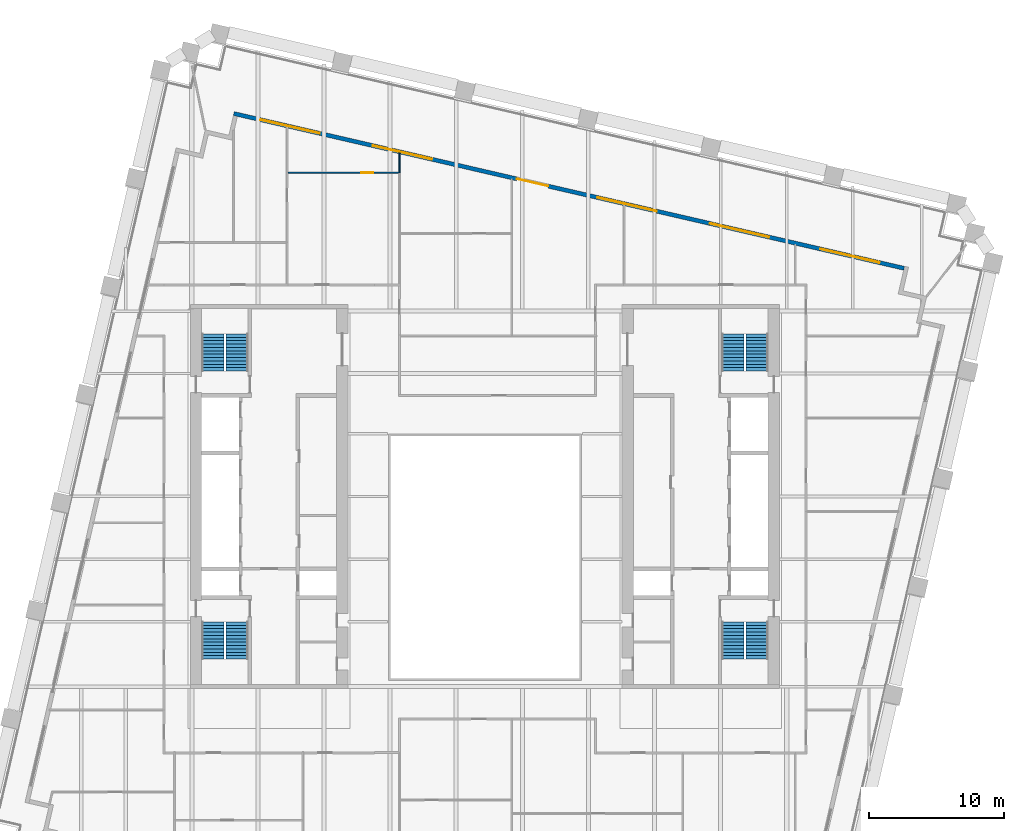
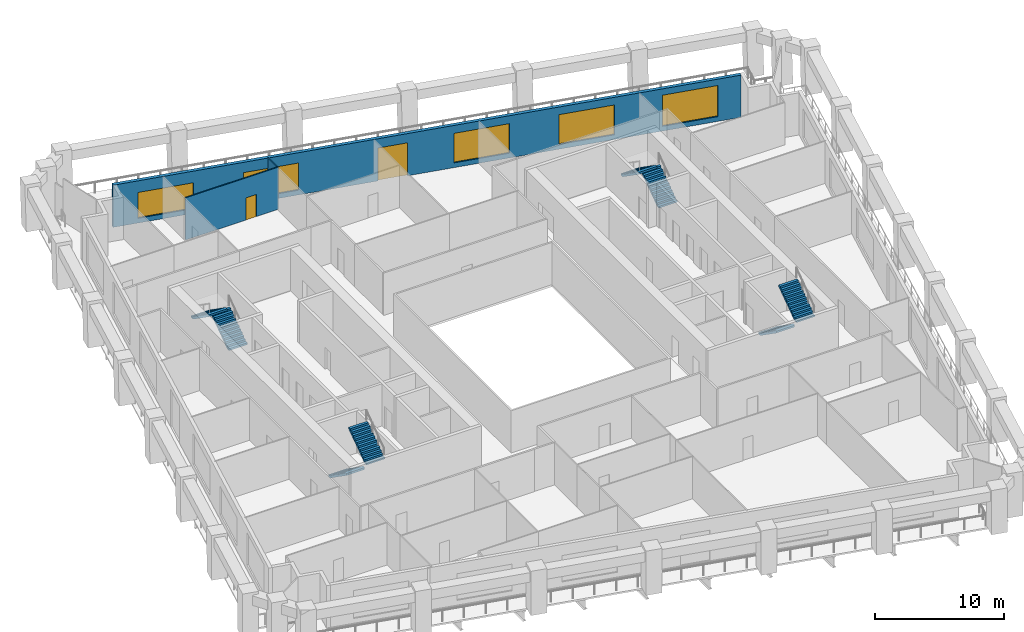
# One storey, part 10 of 12: 8 stair flights, 5 windows, 3 walls, 2 doors, 7 openings, 4 elements without a shape of their own.
"""IFC4 building model written with IfcOpenShell, lengths in metres."""

import ifcopenshell
import ifcopenshell.guid

model = None  # the IFC model being written
_history = None  # IfcOwnerHistory: only IFC2X3 demands one
_inside = {}  # id of a spatial element -> (the spatial element, [elements in it])
_under = {}  # id of a project, library or spatial element -> (it, [spatial elements below it])
_declared = {}  # id of a project -> (the project, [libraries it declares])
_typed = {}  # id of a type object -> (the type object, [elements of that type])
_made_of = {}  # id of a material, layer set ... -> (it, [elements and type objects made of it])


def new_model(schema):
    """Start an empty IFC model of exactly this schema.

    Asked for "IFC4X3", IfcOpenShell would pick the latest addendum, in which some entities
    have other attributes; the version numbers below select the first issue.
    IFC2X3 requires an IfcOwnerHistory on every rooted entity: one is made here for all.
    """
    global model, _history
    if schema == "IFC4X3":
        model = ifcopenshell.file(schema_version=(4, 3, 0, 0))
    else:
        model = ifcopenshell.file(schema=schema)
    _inside.clear()
    _under.clear()
    _declared.clear()
    _typed.clear()
    _made_of.clear()
    _history = None
    if model.schema == "IFC2X3":
        org = make("IfcOrganization", Name="unknown")
        user = make(
            "IfcPersonAndOrganization",
            ThePerson=make("IfcPerson", FamilyName="unknown"),
            TheOrganization=org,
        )
        app = make(
            "IfcApplication",
            ApplicationDeveloper=org,
            Version="unknown",
            ApplicationFullName="unknown",
            ApplicationIdentifier="unknown",
        )
        _history = make(
            "IfcOwnerHistory",
            OwningUser=user,
            OwningApplication=app,
            ChangeAction="ADDED",
            CreationDate=0,
        )
    return model


def make(cls, **values):
    """One entity of the class cls with the attributes given. An attribute that is None is left unset."""
    return model.create_entity(
        cls, **{name: value for name, value in values.items() if value is not None}
    )


def rooted(cls, **values):
    """An entity with a GlobalId (a new one), such as an element, a storey or a relation."""
    return make(cls, GlobalId=ifcopenshell.guid.new(), OwnerHistory=_history, **values)


def si_unit(unit_type, name, prefix=None):
    """IfcSIUnit, for example si_unit("LENGTHUNIT", "METRE", prefix="MILLI")."""
    return make("IfcSIUnit", UnitType=unit_type, Prefix=prefix, Name=name)


def assignment(units):
    """IfcUnitAssignment: the units of a project."""
    return None if units is None else make("IfcUnitAssignment", Units=units)


def point(xyz):
    """IfcCartesianPoint."""
    return None if xyz is None else make("IfcCartesianPoint", Coordinates=xyz)


def direction(xyz):
    """IfcDirection."""
    return None if xyz is None else make("IfcDirection", DirectionRatios=xyz)


def frame(location, z_axis=None, x_axis=None):
    """IfcAxis2Placement3D, a coordinate frame: its origin and axes. An axis left out is left unset."""
    return make(
        "IfcAxis2Placement3D",
        Location=point(location),
        Axis=direction(z_axis),
        RefDirection=direction(x_axis),
    )


def frame_2d(location, x_axis=None):
    """IfcAxis2Placement2D, a coordinate frame in the plane: its origin and x axis."""
    return make(
        "IfcAxis2Placement2D", Location=point(location), RefDirection=direction(x_axis)
    )


def origin():
    """The frame at (0, 0, 0) with its axes left unset."""
    return frame((0.0, 0.0, 0.0))


def place(relative_to, where):
    """IfcLocalPlacement: puts the frame where relative to a parent placement (None: the world)."""
    return make(
        "IfcLocalPlacement", PlacementRelTo=relative_to, RelativePlacement=where
    )


def context(
    kind, dimensions, precision=None, world=None, true_north=None, identifier=None
):
    """IfcGeometricRepresentationContext, for example the 3D "Model" context."""
    return make(
        "IfcGeometricRepresentationContext",
        ContextIdentifier=identifier,
        ContextType=kind,
        CoordinateSpaceDimension=dimensions,
        Precision=precision,
        WorldCoordinateSystem=world,
        TrueNorth=true_north,
    )


def subcontext(parent, identifier, kind, view, scale=None):
    """IfcGeometricRepresentationSubContext, for example "Body" below "Model"."""
    return make(
        "IfcGeometricRepresentationSubContext",
        ContextIdentifier=identifier,
        ContextType=kind,
        ParentContext=parent,
        TargetScale=scale,
        TargetView=view,
    )


def project(units=None, contexts=None):
    """IfcProject with its units and contexts."""
    return rooted(
        "IfcProject",
        Name="project",
        RepresentationContexts=contexts,
        UnitsInContext=assignment(units),
    )


def spatial(cls, under=None, at=None, **own):
    """A site, building, storey or space (cls), placed at a placement, below another one or the project."""
    s = rooted(cls, ObjectPlacement=at, **own)
    if under is not None:
        _under.setdefault(under.id(), (under, []))[1].append(s)
    return s


def polyline(points):
    """IfcPolyline through the points."""
    return make("IfcPolyline", Points=[point(p) for p in points])


def profile(cls, at=None, kind="AREA", **sizes):
    """A parametric profile (cls). Its sizes go by their IFC names, for example OverallWidth=200.0."""
    return make(cls, ProfileType=kind, Position=at, **sizes)


def rectangle(**sizes):
    """IfcRectangleProfileDef."""
    return profile("IfcRectangleProfileDef", **sizes)


def outline(outer, holes=None, kind="AREA"):
    """IfcArbitraryClosedProfileDef: a profile drawn as a closed curve; with holes, ...WithVoids."""
    if holes is None:
        return make("IfcArbitraryClosedProfileDef", ProfileType=kind, OuterCurve=outer)
    return make(
        "IfcArbitraryProfileDefWithVoids",
        ProfileType=kind,
        OuterCurve=outer,
        InnerCurves=holes,
    )


def extrude(swept, where, along, depth):
    """IfcExtrudedAreaSolid: the profile swept, set in the frame where, extruded along a direction by depth."""
    return make(
        "IfcExtrudedAreaSolid",
        SweptArea=swept,
        Position=where,
        ExtrudedDirection=direction(along),
        Depth=depth,
    )


def shape(context_of_items, identifier, shape_type, items):
    """IfcShapeRepresentation: the items that make up one representation, for example the "Body"."""
    return make(
        "IfcShapeRepresentation",
        ContextOfItems=context_of_items,
        RepresentationIdentifier=identifier,
        RepresentationType=shape_type,
        Items=items,
    )


def material(Name=None, Category=None):
    """IfcMaterial."""
    return make("IfcMaterial", Name=Name, Category=Category)


def layer(
    of_material, thickness, ventilated=None, Name=None, Category=None, Priority=None
):
    """IfcMaterialLayer: one layer of a wall or slab, of a material (None: an air gap)."""
    return make(
        "IfcMaterialLayer",
        Material=of_material,
        LayerThickness=thickness,
        IsVentilated=ventilated,
        Name=Name,
        Category=Category,
        Priority=Priority,
    )


def layer_set(layers, Name=None):
    """IfcMaterialLayerSet."""
    return make("IfcMaterialLayerSet", MaterialLayers=layers, LayerSetName=Name)


def made_of(thing, what):
    """Note that an element or type object is made of a material, layer set ...; save() writes the relation."""
    if what is not None:
        _made_of.setdefault(what.id(), (what, []))[1].append(thing)
    return thing


def type_object(cls, material=None, **own):
    """A type object (cls), such as IfcWallType, which elements share."""
    return made_of(rooted(cls, **own), material)


def element(
    cls,
    number,
    at=None,
    inside=None,
    cuts=None,
    type_object=None,
    material=None,
    context=None,
    identifier="Body",
    shape_type=None,
    held_by="IfcProductDefinitionShape",
    body=None,
    shapes=None,
    **own,
):
    """One element of the class cls, such as IfcWall. Its Tag is "e" and its number.

    at: its placement. inside: the storey or other place that contains it. cuts: it is an
    opening in that element (IfcRelVoidsElement). A single representation is given by context,
    identifier, shape_type and body (its items); several are given by shapes. held_by: the class
    of the entity that holds the representations. save() writes the other relations.
    """
    e = rooted(cls, Tag="e%d" % number, ObjectPlacement=at, **own)
    if body is not None:
        shapes = [shape(context, identifier, shape_type, body)]
    if shapes is not None:
        e.Representation = make(held_by, Representations=shapes)
    if inside is not None:
        _inside.setdefault(inside.id(), (inside, []))[1].append(e)
    if cuts is not None:
        rooted(
            "IfcRelVoidsElement", RelatingBuildingElement=cuts, RelatedOpeningElement=e
        )
    if type_object is not None:
        _typed.setdefault(type_object.id(), (type_object, []))[1].append(e)
    return made_of(e, material)


def fill(opening, filler):
    """IfcRelFillsElement: the door or window that sits in an opening."""
    return rooted(
        "IfcRelFillsElement",
        RelatingOpeningElement=opening,
        RelatedBuildingElement=filler,
    )


def aggregate(whole, parts):
    """IfcRelAggregates: a whole, such as a stair, and the parts it consists of."""
    return rooted("IfcRelAggregates", RelatingObject=whole, RelatedObjects=parts)


def save(model, path):
    """Write the relations noted so far, then the file.

    IfcRelAggregates (storeys below a building ...), IfcRelContainedInSpatialStructure (elements
    in a storey), IfcRelDefinesByType, IfcRelAssociatesMaterial and IfcRelDeclares: one each for
    every whole, place, type object, material and project.
    """
    for whole, parts in _under.values():
        aggregate(whole, parts)
    for where, things in _inside.values():
        rooted(
            "IfcRelContainedInSpatialStructure",
            RelatedElements=things,
            RelatingStructure=where,
        )
    for kind, things in _typed.values():
        rooted("IfcRelDefinesByType", RelatedObjects=things, RelatingType=kind)
    for what, things in _made_of.values():
        rooted("IfcRelAssociatesMaterial", RelatedObjects=things, RelatingMaterial=what)
    for by, libraries in _declared.values():
        rooted("IfcRelDeclares", RelatingContext=by, RelatedDefinitions=libraries)
    model.write(path)


model = new_model("IFC4")

# Units and contexts
model_context = context("Model", 3, precision=1e-05, world=origin(), true_north=direction((0.0, 1.0)))
body_context = subcontext(model_context, "Body", "Model", "MODEL_VIEW")
ifc_project = project(units=[si_unit("LENGTHUNIT", "METRE"), si_unit("AREAUNIT", "SQUARE_METRE"), si_unit("VOLUMEUNIT", "CUBIC_METRE"), si_unit("PLANEANGLEUNIT", "RADIAN"), si_unit("MASSUNIT", "GRAM", prefix="KILO")], contexts=[model_context])

# Site, building, storey
site_placement = place(None, origin())
site = spatial("IfcSite", under=ifc_project, at=site_placement, CompositionType="ELEMENT")
building_placement = place(site_placement, origin())
building = spatial("IfcBuilding", under=site, at=building_placement, Name="Ogive Exchange Tower", CompositionType="ELEMENT")
storey_placement = place(building_placement, frame((0.0, 0.0, 130.800048828125)))
storey = spatial("IfcBuildingStorey", under=building, at=storey_placement, Name="L28", CompositionType="ELEMENT", Elevation=130.800048828125)

# Wall, openings, door, windows
ifc_material_1 = material(Name="Precast concrete C40/50", Category="concrete")
ifc_layer_1 = layer(ifc_material_1, 0.300048828125)
ifc_layer_set_1 = layer_set([ifc_layer_1], Name="Limestone-faced wall 300")
wall_type_1 = type_object("IfcWallType", Name="Limestone-faced wall 300", PredefinedType="STANDARD", material=ifc_layer_set_1)
wall_1_placement = place(storey_placement, frame((31.07763671875, 28.4208984375, 0.0), z_axis=(0.0, 0.0, 1.0), x_axis=(-0.974370456532, 0.224949357493, 0.0)))
wall_1 = element("IfcWall", 1, at=wall_1_placement, inside=storey, type_object=wall_type_1, Name="External wall N3", PredefinedType="STANDARD", context=body_context, shape_type="SweptSolid", body=[
    extrude(rectangle(XDim=51.0, YDim=0.300048828125, at=frame_2d((25.5, 0.0))), origin(), (0.0, 0.0, 1.0), 4.0),
])
opening_1_placement = place(wall_1_placement, frame((1.875, 0.0, 0.449951171875)))
opening_1 = element("IfcOpeningElement", 2, at=opening_1_placement, cuts=wall_1, Name="Opening W1B", PredefinedType="OPENING", context=body_context, shape_type="SweptSolid", body=[
    extrude(rectangle(XDim=4.5, YDim=2.949951171875, at=frame_2d((2.25, 1.47509765625))), frame((0.0, 0.159912109375, 0.0), z_axis=(0.0, -1.0, 0.0), x_axis=(1.0, 0.0, 0.0)), (0.0, 0.0, 1.0), 0.320068359375),
])
opening_2_placement = place(wall_1_placement, frame((10.27490234375, 0.0, 0.449951171875)))
opening_2 = element("IfcOpeningElement", 3, at=opening_2_placement, cuts=wall_1, Name="Opening W1E", PredefinedType="OPENING", context=body_context, shape_type="SweptSolid", body=[
    extrude(rectangle(XDim=4.5, YDim=2.824951171875, at=frame_2d((2.25, 1.41259765625))), frame((0.0, 0.159912109375, 0.0), z_axis=(0.0, -1.0, 0.0), x_axis=(1.0, 0.0, 0.0)), (0.0, 0.0, 1.0), 0.320068359375),
])
opening_3_placement = place(wall_1_placement, frame((18.824951171875, 0.0, 0.449951171875)))
opening_3 = element("IfcOpeningElement", 4, at=opening_3_placement, cuts=wall_1, Name="Opening W1F", PredefinedType="OPENING", context=body_context, shape_type="SweptSolid", body=[
    extrude(rectangle(XDim=4.5, YDim=2.800048828125, at=frame_2d((2.25, 1.39990234375))), frame((0.0, 0.159912109375, 0.0), z_axis=(0.0, -1.0, 0.0), x_axis=(1.0, 0.0, 0.0)), (0.0, 0.0, 1.0), 0.320068359375),
])
opening_4_placement = place(wall_1_placement, frame((27.074951171875, 0.0, 0.0)))
opening_4 = element("IfcOpeningElement", 5, at=opening_4_placement, cuts=wall_1, Name="Opening D1J", PredefinedType="OPENING", context=body_context, shape_type="SweptSolid", body=[
    extrude(rectangle(XDim=2.39990234375, YDim=3.125, at=frame_2d((1.199951171875, 1.5625))), frame((0.0, 0.159912109375, 0.0), z_axis=(0.0, -1.0, 0.0), x_axis=(1.0, 0.0, 0.0)), (0.0, 0.0, 1.0), 0.320068359375),
])
opening_5_placement = place(wall_1_placement, frame((35.925048828125, 0.0, 0.449951171875)))
opening_5 = element("IfcOpeningElement", 6, at=opening_5_placement, cuts=wall_1, Name="Opening W1M", PredefinedType="OPENING", context=body_context, shape_type="SweptSolid", body=[
    extrude(rectangle(XDim=4.5, YDim=2.574951171875, at=frame_2d((2.25, 1.28759765625))), frame((0.0, 0.159912109375, 0.0), z_axis=(0.0, -1.0, 0.0), x_axis=(1.0, 0.0, 0.0)), (0.0, 0.0, 1.0), 0.320068359375),
])
opening_6_placement = place(wall_1_placement, frame((44.47509765625, 0.0, 0.449951171875)))
opening_6 = element("IfcOpeningElement", 7, at=opening_6_placement, cuts=wall_1, Name="Opening W1Q", PredefinedType="OPENING", context=body_context, shape_type="SweptSolid", body=[
    extrude(rectangle(XDim=4.5, YDim=2.449951171875, at=frame_2d((2.25, 1.22509765625))), frame((0.0, 0.159912109375, 0.0), z_axis=(0.0, -1.0, 0.0), x_axis=(1.0, 0.0, 0.0)), (0.0, 0.0, 1.0), 0.320068359375),
])
ifc_material_2 = material(Name="Clear glass in bronze frame", Category="glass")
door_type_1 = type_object("IfcDoorType", Name="Sliding loggia door 2400 x 3125", OperationType="DOUBLE_DOOR_SLIDING", PredefinedType="DOOR", material=ifc_material_2)
door_1_placement = place(opening_4_placement, origin())
door_1 = element("IfcDoor", 8, at=door_1_placement, inside=storey, type_object=door_type_1, Name="Loggia door N03", OperationType="DOUBLE_DOOR_SLIDING", OverallHeight=3.125, OverallWidth=2.39990234375, PredefinedType="DOOR", context=body_context, shape_type="SweptSolid", body=[
    extrude(rectangle(XDim=2.39990234375, YDim=3.125, at=frame_2d((1.199951171875, 1.5625))), frame((0.0, 0.02490234375, 0.0), z_axis=(0.0, -1.0, 0.0), x_axis=(1.0, 0.0, 0.0)), (0.0, 0.0, 1.0), 0.050048828125),
])
fill(opening_4, door_1)
window_type_1 = type_object("IfcWindowType", Name="Twin lancet window 4500 x 2450", PartitioningType="DOUBLE_PANEL_VERTICAL", PredefinedType="WINDOW", material=ifc_material_2)
window_1_placement = place(opening_6_placement, origin())
window_1 = element("IfcWindow", 9, at=window_1_placement, inside=storey, type_object=window_type_1, Name="Window N05", OverallHeight=2.449951171875, OverallWidth=4.5, PartitioningType="DOUBLE_PANEL_VERTICAL", PredefinedType="WINDOW", context=body_context, shape_type="SweptSolid", body=[
    extrude(rectangle(XDim=4.5, YDim=2.449951171875, at=frame_2d((2.25, 1.22509765625))), frame((0.0, 0.030029296875, 0.0), z_axis=(0.0, -1.0, 0.0), x_axis=(1.0, 0.0, 0.0)), (0.0, 0.0, 1.0), 0.06005859375),
])
fill(opening_6, window_1)
window_type_2 = type_object("IfcWindowType", Name="Twin lancet window 4500 x 2575", PartitioningType="DOUBLE_PANEL_VERTICAL", PredefinedType="WINDOW", material=ifc_material_2)
window_2_placement = place(opening_5_placement, origin())
window_2 = element("IfcWindow", 10, at=window_2_placement, inside=storey, type_object=window_type_2, Name="Window N04", OverallHeight=2.574951171875, OverallWidth=4.5, PartitioningType="DOUBLE_PANEL_VERTICAL", PredefinedType="WINDOW", context=body_context, shape_type="SweptSolid", body=[
    extrude(rectangle(XDim=4.5, YDim=2.574951171875, at=frame_2d((2.25, 1.28759765625))), frame((0.0, 0.030029296875, 0.0), z_axis=(0.0, -1.0, 0.0), x_axis=(1.0, 0.0, 0.0)), (0.0, 0.0, 1.0), 0.06005859375),
])
fill(opening_5, window_2)
window_type_3 = type_object("IfcWindowType", Name="Twin lancet window 4500 x 2800", PartitioningType="DOUBLE_PANEL_VERTICAL", PredefinedType="WINDOW", material=ifc_material_2)
window_3_placement = place(opening_3_placement, origin())
window_3 = element("IfcWindow", 11, at=window_3_placement, inside=storey, type_object=window_type_3, Name="Window N02", OverallHeight=2.800048828125, OverallWidth=4.5, PartitioningType="DOUBLE_PANEL_VERTICAL", PredefinedType="WINDOW", context=body_context, shape_type="SweptSolid", body=[
    extrude(rectangle(XDim=4.5, YDim=2.800048828125, at=frame_2d((2.25, 1.39990234375))), frame((0.0, 0.030029296875, 0.0), z_axis=(0.0, -1.0, 0.0), x_axis=(1.0, 0.0, 0.0)), (0.0, 0.0, 1.0), 0.06005859375),
])
fill(opening_3, window_3)
window_type_4 = type_object("IfcWindowType", Name="Twin lancet window 4500 x 2825", PartitioningType="DOUBLE_PANEL_VERTICAL", PredefinedType="WINDOW", material=ifc_material_2)
window_4_placement = place(opening_2_placement, origin())
window_4 = element("IfcWindow", 12, at=window_4_placement, inside=storey, type_object=window_type_4, Name="Window N01", OverallHeight=2.824951171875, OverallWidth=4.5, PartitioningType="DOUBLE_PANEL_VERTICAL", PredefinedType="WINDOW", context=body_context, shape_type="SweptSolid", body=[
    extrude(rectangle(XDim=4.5, YDim=2.824951171875, at=frame_2d((2.25, 1.41259765625))), frame((0.0, 0.030029296875, 0.0), z_axis=(0.0, -1.0, 0.0), x_axis=(1.0, 0.0, 0.0)), (0.0, 0.0, 1.0), 0.06005859375),
])
fill(opening_2, window_4)
window_type_5 = type_object("IfcWindowType", Name="Twin lancet window 4500 x 2950", PartitioningType="DOUBLE_PANEL_VERTICAL", PredefinedType="WINDOW", material=ifc_material_2)
window_5_placement = place(opening_1_placement, origin())
window_5 = element("IfcWindow", 13, at=window_5_placement, inside=storey, type_object=window_type_5, Name="Window N00", OverallHeight=2.949951171875, OverallWidth=4.5, PartitioningType="DOUBLE_PANEL_VERTICAL", PredefinedType="WINDOW", context=body_context, shape_type="SweptSolid", body=[
    extrude(rectangle(XDim=4.5, YDim=2.949951171875, at=frame_2d((2.25, 1.47509765625))), frame((0.0, 0.030029296875, 0.0), z_axis=(0.0, -1.0, 0.0), x_axis=(1.0, 0.0, 0.0)), (0.0, 0.0, 1.0), 0.06005859375),
])
fill(opening_1, window_5)

# Wall, opening, door
ifc_material_3 = material(Name="Partition 100 gypsum")
ifc_layer_2 = layer(ifc_material_3, 0.10009765625)
ifc_layer_set_2 = layer_set([ifc_layer_2], Name="Partition 100 gypsum")
wall_type_2 = type_object("IfcWallType", Name="Partition 100 gypsum", PredefinedType="PARTITIONING", material=ifc_layer_set_2)
wall_2_placement = place(storey_placement, frame((-14.6201171875, 35.5, 0.0), z_axis=(0.0, 0.0, 1.0), x_axis=(1.0, 0.0, 0.0)))
wall_2 = element("IfcWall", 14, at=wall_2_placement, inside=storey, type_object=wall_type_2, Name="L28-PWL-030", PredefinedType="PARTITIONING", context=body_context, shape_type="SweptSolid", body=[
    extrude(rectangle(XDim=8.330078125, YDim=0.10009765625, at=frame_2d((4.1650390625, 0.0))), origin(), (0.0, 0.0, 1.0), 4.0),
])
opening_7_placement = place(wall_2_placement, frame((5.429931640625, 0.0, 0.0)))
opening_7 = element("IfcOpeningElement", 15, at=opening_7_placement, cuts=wall_2, Name="Opening L28-I19", PredefinedType="OPENING", context=body_context, shape_type="SweptSolid", body=[
    extrude(rectangle(XDim=0.89990234375, YDim=2.10009765625, at=frame_2d((0.449951171875, 1.050048828125))), frame((0.0, 0.06005859375, 0.0), z_axis=(0.0, -1.0, 0.0), x_axis=(1.0, 0.0, 0.0)), (0.0, 0.0, 1.0), 0.1201171875),
])
ifc_material_4 = material(Name="Door 900 x 2100")
door_type_2 = type_object("IfcDoorType", Name="Door 900 x 2100", OperationType="NOTDEFINED", PredefinedType="DOOR", material=ifc_material_4)
door_2_placement = place(opening_7_placement, origin())
door_2 = element("IfcDoor", 16, at=door_2_placement, inside=storey, type_object=door_type_2, Name="L28-IDR-019", ObjectType="DT1", OperationType="SINGLE_SWING_LEFT", OverallHeight=2.10009765625, OverallWidth=0.89990234375, PredefinedType="DOOR", context=body_context, shape_type="SweptSolid", body=[
    extrude(rectangle(XDim=0.89990234375, YDim=2.10009765625, at=frame_2d((0.449951171875, 1.050048828125))), frame((0.0, 0.02490234375, 0.0), z_axis=(0.0, -1.0, 0.0), x_axis=(1.0, 0.0, 0.0)), (0.0, 0.0, 1.0), 0.050048828125),
])
fill(opening_7, door_2)

# Wall
wall_3_placement = place(storey_placement, frame((-6.340087890625, 35.550048828125, 0.0), z_axis=(0.0, 0.0, 1.0), x_axis=(0.0, 1.0, 0.0)))
element("IfcWall", 17, at=wall_3_placement, inside=storey, type_object=wall_type_2, Name="L28-PWL-049", PredefinedType="PARTITIONING", context=body_context, shape_type="SweptSolid", body=[
    extrude(rectangle(XDim=1.43798828125, YDim=0.10009765625, at=frame_2d((0.718994140625, 0.0))), origin(), (0.0, 0.0, 1.0), 4.0),
])

# Stair, stair flights
ifc_material_5 = material(Name="Concrete C40/50", Category="concrete")
stair_type = type_object("IfcStairType", Name="Exit stair 1650 wide", PredefinedType="HALF_TURN_STAIR", material=ifc_material_5)
stair_1_placement = place(storey_placement, origin())
stair_1 = element("IfcStair", 18, at=stair_1_placement, inside=storey, type_object=stair_type, Name="L28 exit stair ST1", PredefinedType="HALF_TURN_STAIR")
stair_flight_type = type_object("IfcStairFlightType", Name="Stair flight 1650 wide", PredefinedType="STRAIGHT", material=ifc_material_5)
stair_flight_1_placement = place(storey_placement, frame((-20.175048828125, 2.199951171875, 0.0), z_axis=(0.0, 0.0, 1.0), x_axis=(0.0, -1.0, 0.0)))
stair_flight_1 = element("IfcStairFlight", 19, at=stair_flight_1_placement, type_object=stair_flight_type, Name="ST1 flight 1", NumberOfRisers=12, NumberOfTreads=11, PredefinedType="STRAIGHT", RiserHeight=0.175, TreadLength=0.25, context=body_context, shape_type="SweptSolid", body=[
    extrude(outline(polyline([(0.0, 0.0), (0.0, 0.175048828125), (0.25, 0.175048828125), (0.25, 0.35009765625), (0.5, 0.35009765625), (0.5, 0.52490234375), (0.75, 0.52490234375), (0.75, 0.699951171875), (1.0, 0.699951171875), (1.0, 0.875), (1.25, 0.875), (1.25, 1.050048828125), (1.5, 1.050048828125), (1.5, 1.22509765625), (1.75, 1.22509765625), (1.75, 1.39990234375), (2.0, 1.39990234375), (2.0, 1.574951171875), (2.25, 1.574951171875), (2.25, 1.75), (2.5, 1.75), (2.5, 1.925048828125), (2.75, 1.925048828125), (2.75, 2.10009765625), (2.75, 1.741943359375), (0.261474609375, 0.0), (0.0, 0.0)])), frame((0.0, 0.824951171875, 0.0), z_axis=(0.0, -1.0, 0.0), x_axis=(1.0, 0.0, 0.0)), (0.0, 0.0, 1.0), 1.64990234375),
])
stair_flight_2_placement = place(storey_placement, frame((-18.375, -0.550048828125, 2.099853515625), z_axis=(0.0, 0.0, 1.0), x_axis=(0.0, 1.0, 0.0)))
stair_flight_2 = element("IfcStairFlight", 20, at=stair_flight_2_placement, type_object=stair_flight_type, Name="ST1 flight 2", NumberOfRisers=12, NumberOfTreads=11, PredefinedType="STRAIGHT", RiserHeight=0.175, TreadLength=0.25, context=body_context, shape_type="SweptSolid", body=[
    extrude(outline(polyline([(0.0, 0.0), (0.0, 0.175048828125), (0.25, 0.175048828125), (0.25, 0.35009765625), (0.5, 0.35009765625), (0.5, 0.52490234375), (0.75, 0.52490234375), (0.75, 0.699951171875), (1.0, 0.699951171875), (1.0, 0.875), (1.25, 0.875), (1.25, 1.050048828125), (1.5, 1.050048828125), (1.5, 1.22509765625), (1.75, 1.22509765625), (1.75, 1.39990234375), (2.0, 1.39990234375), (2.0, 1.574951171875), (2.25, 1.574951171875), (2.25, 1.75), (2.5, 1.75), (2.5, 1.925048828125), (2.75, 1.925048828125), (2.75, 2.10009765625), (2.75, 1.741943359375), (0.261474609375, 0.0), (0.0, 0.0)])), frame((0.0, 0.824951171875, 0.0), z_axis=(0.0, -1.0, 0.0), x_axis=(1.0, 0.0, 0.0)), (0.0, 0.0, 1.0), 1.64990234375),
])
aggregate(stair_1, [stair_flight_1, stair_flight_2])

stair_2_placement = place(storey_placement, origin())
stair_2 = element("IfcStair", 21, at=stair_2_placement, inside=storey, type_object=stair_type, Name="L28 exit stair ST2", PredefinedType="HALF_TURN_STAIR")
stair_flight_3_placement = place(storey_placement, frame((-18.375, 20.800048828125, 0.0), z_axis=(0.0, 0.0, 1.0), x_axis=(0.0, 1.0, 0.0)))
stair_flight_3 = element("IfcStairFlight", 22, at=stair_flight_3_placement, type_object=stair_flight_type, Name="ST2 flight 1", NumberOfRisers=12, NumberOfTreads=11, PredefinedType="STRAIGHT", RiserHeight=0.175, TreadLength=0.25, context=body_context, shape_type="SweptSolid", body=[
    extrude(outline(polyline([(0.0, 0.0), (0.0, 0.175048828125), (0.25, 0.175048828125), (0.25, 0.35009765625), (0.5, 0.35009765625), (0.5, 0.52490234375), (0.75, 0.52490234375), (0.75, 0.699951171875), (1.0, 0.699951171875), (1.0, 0.875), (1.25, 0.875), (1.25, 1.050048828125), (1.5, 1.050048828125), (1.5, 1.22509765625), (1.75, 1.22509765625), (1.75, 1.39990234375), (2.0, 1.39990234375), (2.0, 1.574951171875), (2.25, 1.574951171875), (2.25, 1.75), (2.5, 1.75), (2.5, 1.925048828125), (2.75, 1.925048828125), (2.75, 2.10009765625), (2.75, 1.741943359375), (0.261474609375, 0.0), (0.0, 0.0)])), frame((0.0, 0.824951171875, 0.0), z_axis=(0.0, -1.0, 0.0), x_axis=(1.0, 0.0, 0.0)), (0.0, 0.0, 1.0), 1.64990234375),
])
stair_flight_4_placement = place(storey_placement, frame((-20.175048828125, 23.550048828125, 2.099853515625), z_axis=(0.0, 0.0, 1.0), x_axis=(0.0, -1.0, 0.0)))
stair_flight_4 = element("IfcStairFlight", 23, at=stair_flight_4_placement, type_object=stair_flight_type, Name="ST2 flight 2", NumberOfRisers=12, NumberOfTreads=11, PredefinedType="STRAIGHT", RiserHeight=0.175, TreadLength=0.25, context=body_context, shape_type="SweptSolid", body=[
    extrude(outline(polyline([(0.0, 0.0), (0.0, 0.175048828125), (0.25, 0.175048828125), (0.25, 0.35009765625), (0.5, 0.35009765625), (0.5, 0.52490234375), (0.75, 0.52490234375), (0.75, 0.699951171875), (1.0, 0.699951171875), (1.0, 0.875), (1.25, 0.875), (1.25, 1.050048828125), (1.5, 1.050048828125), (1.5, 1.22509765625), (1.75, 1.22509765625), (1.75, 1.39990234375), (2.0, 1.39990234375), (2.0, 1.574951171875), (2.25, 1.574951171875), (2.25, 1.75), (2.5, 1.75), (2.5, 1.925048828125), (2.75, 1.925048828125), (2.75, 2.10009765625), (2.75, 1.741943359375), (0.261474609375, 0.0), (0.0, 0.0)])), frame((0.0, 0.824951171875, 0.0), z_axis=(0.0, -1.0, 0.0), x_axis=(1.0, 0.0, 0.0)), (0.0, 0.0, 1.0), 1.64990234375),
])
aggregate(stair_2, [stair_flight_3, stair_flight_4])

stair_3_placement = place(storey_placement, origin())
stair_3 = element("IfcStair", 24, at=stair_3_placement, inside=storey, type_object=stair_type, Name="L28 exit stair ST3", PredefinedType="HALF_TURN_STAIR")
stair_flight_5_placement = place(storey_placement, frame((18.375, 2.199951171875, 0.0), z_axis=(0.0, 0.0, 1.0), x_axis=(0.0, -1.0, 0.0)))
stair_flight_5 = element("IfcStairFlight", 25, at=stair_flight_5_placement, type_object=stair_flight_type, Name="ST3 flight 1", NumberOfRisers=12, NumberOfTreads=11, PredefinedType="STRAIGHT", RiserHeight=0.175, TreadLength=0.25, context=body_context, shape_type="SweptSolid", body=[
    extrude(outline(polyline([(0.0, 0.0), (0.0, 0.175048828125), (0.25, 0.175048828125), (0.25, 0.35009765625), (0.5, 0.35009765625), (0.5, 0.52490234375), (0.75, 0.52490234375), (0.75, 0.699951171875), (1.0, 0.699951171875), (1.0, 0.875), (1.25, 0.875), (1.25, 1.050048828125), (1.5, 1.050048828125), (1.5, 1.22509765625), (1.75, 1.22509765625), (1.75, 1.39990234375), (2.0, 1.39990234375), (2.0, 1.574951171875), (2.25, 1.574951171875), (2.25, 1.75), (2.5, 1.75), (2.5, 1.925048828125), (2.75, 1.925048828125), (2.75, 2.10009765625), (2.75, 1.741943359375), (0.261474609375, 0.0), (0.0, 0.0)])), frame((0.0, 0.824951171875, 0.0), z_axis=(0.0, -1.0, 0.0), x_axis=(1.0, 0.0, 0.0)), (0.0, 0.0, 1.0), 1.64990234375),
])
stair_flight_6_placement = place(storey_placement, frame((20.175048828125, -0.550048828125, 2.099853515625), z_axis=(0.0, 0.0, 1.0), x_axis=(0.0, 1.0, 0.0)))
stair_flight_6 = element("IfcStairFlight", 26, at=stair_flight_6_placement, type_object=stair_flight_type, Name="ST3 flight 2", NumberOfRisers=12, NumberOfTreads=11, PredefinedType="STRAIGHT", RiserHeight=0.175, TreadLength=0.25, context=body_context, shape_type="SweptSolid", body=[
    extrude(outline(polyline([(0.0, 0.0), (0.0, 0.175048828125), (0.25, 0.175048828125), (0.25, 0.35009765625), (0.5, 0.35009765625), (0.5, 0.52490234375), (0.75, 0.52490234375), (0.75, 0.699951171875), (1.0, 0.699951171875), (1.0, 0.875), (1.25, 0.875), (1.25, 1.050048828125), (1.5, 1.050048828125), (1.5, 1.22509765625), (1.75, 1.22509765625), (1.75, 1.39990234375), (2.0, 1.39990234375), (2.0, 1.574951171875), (2.25, 1.574951171875), (2.25, 1.75), (2.5, 1.75), (2.5, 1.925048828125), (2.75, 1.925048828125), (2.75, 2.10009765625), (2.75, 1.741943359375), (0.261474609375, 0.0), (0.0, 0.0)])), frame((0.0, 0.824951171875, 0.0), z_axis=(0.0, -1.0, 0.0), x_axis=(1.0, 0.0, 0.0)), (0.0, 0.0, 1.0), 1.64990234375),
])
aggregate(stair_3, [stair_flight_5, stair_flight_6])

stair_4_placement = place(storey_placement, origin())
stair_4 = element("IfcStair", 27, at=stair_4_placement, inside=storey, type_object=stair_type, Name="L28 exit stair ST4", PredefinedType="HALF_TURN_STAIR")
stair_flight_7_placement = place(storey_placement, frame((20.175048828125, 20.800048828125, 0.0), z_axis=(0.0, 0.0, 1.0), x_axis=(0.0, 1.0, 0.0)))
stair_flight_7 = element("IfcStairFlight", 28, at=stair_flight_7_placement, type_object=stair_flight_type, Name="ST4 flight 1", NumberOfRisers=12, NumberOfTreads=11, PredefinedType="STRAIGHT", RiserHeight=0.175, TreadLength=0.25, context=body_context, shape_type="SweptSolid", body=[
    extrude(outline(polyline([(0.0, 0.0), (0.0, 0.175048828125), (0.25, 0.175048828125), (0.25, 0.35009765625), (0.5, 0.35009765625), (0.5, 0.52490234375), (0.75, 0.52490234375), (0.75, 0.699951171875), (1.0, 0.699951171875), (1.0, 0.875), (1.25, 0.875), (1.25, 1.050048828125), (1.5, 1.050048828125), (1.5, 1.22509765625), (1.75, 1.22509765625), (1.75, 1.39990234375), (2.0, 1.39990234375), (2.0, 1.574951171875), (2.25, 1.574951171875), (2.25, 1.75), (2.5, 1.75), (2.5, 1.925048828125), (2.75, 1.925048828125), (2.75, 2.10009765625), (2.75, 1.741943359375), (0.261474609375, 0.0), (0.0, 0.0)])), frame((0.0, 0.824951171875, 0.0), z_axis=(0.0, -1.0, 0.0), x_axis=(1.0, 0.0, 0.0)), (0.0, 0.0, 1.0), 1.64990234375),
])
stair_flight_8_placement = place(storey_placement, frame((18.375, 23.550048828125, 2.099853515625), z_axis=(0.0, 0.0, 1.0), x_axis=(0.0, -1.0, 0.0)))
stair_flight_8 = element("IfcStairFlight", 29, at=stair_flight_8_placement, type_object=stair_flight_type, Name="ST4 flight 2", NumberOfRisers=12, NumberOfTreads=11, PredefinedType="STRAIGHT", RiserHeight=0.175, TreadLength=0.25, context=body_context, shape_type="SweptSolid", body=[
    extrude(outline(polyline([(0.0, 0.0), (0.0, 0.175048828125), (0.25, 0.175048828125), (0.25, 0.35009765625), (0.5, 0.35009765625), (0.5, 0.52490234375), (0.75, 0.52490234375), (0.75, 0.699951171875), (1.0, 0.699951171875), (1.0, 0.875), (1.25, 0.875), (1.25, 1.050048828125), (1.5, 1.050048828125), (1.5, 1.22509765625), (1.75, 1.22509765625), (1.75, 1.39990234375), (2.0, 1.39990234375), (2.0, 1.574951171875), (2.25, 1.574951171875), (2.25, 1.75), (2.5, 1.75), (2.5, 1.925048828125), (2.75, 1.925048828125), (2.75, 2.10009765625), (2.75, 1.741943359375), (0.261474609375, 0.0), (0.0, 0.0)])), frame((0.0, 0.824951171875, 0.0), z_axis=(0.0, -1.0, 0.0), x_axis=(1.0, 0.0, 0.0)), (0.0, 0.0, 1.0), 1.64990234375),
])
aggregate(stair_4, [stair_flight_7, stair_flight_8])

save(model, "model.ifc")
